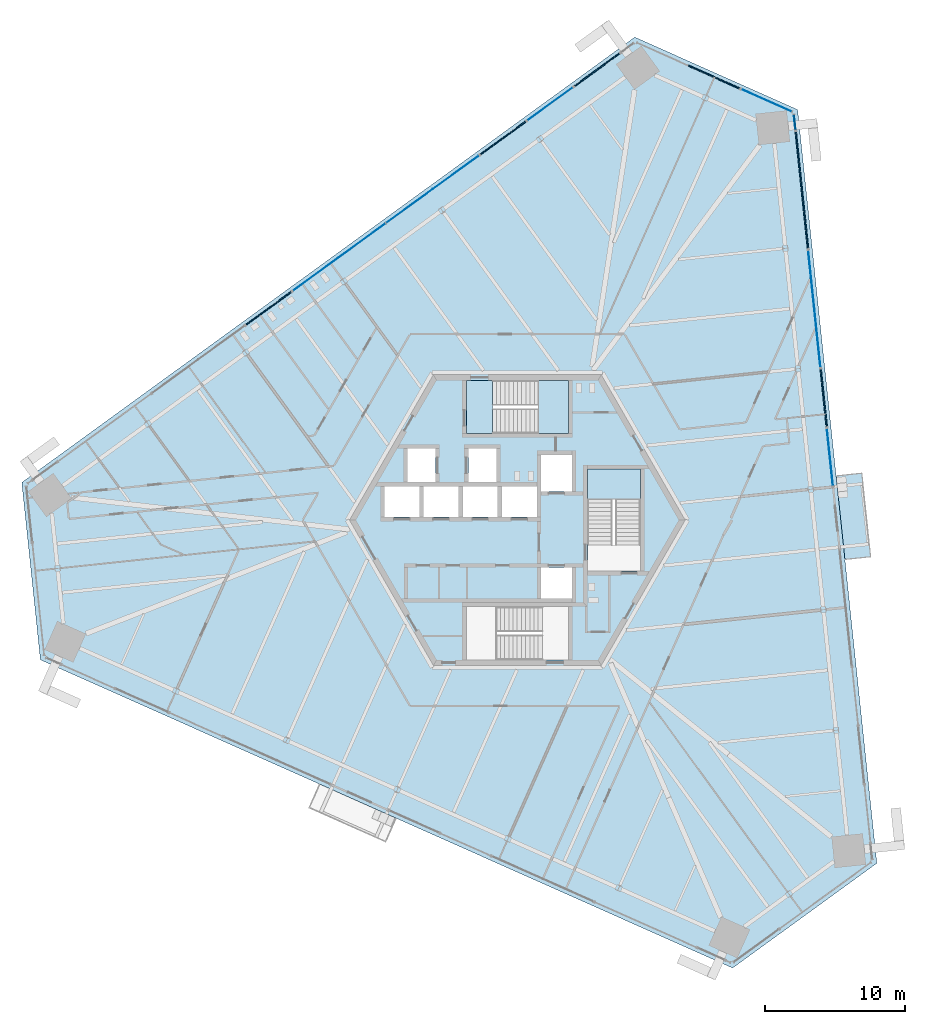
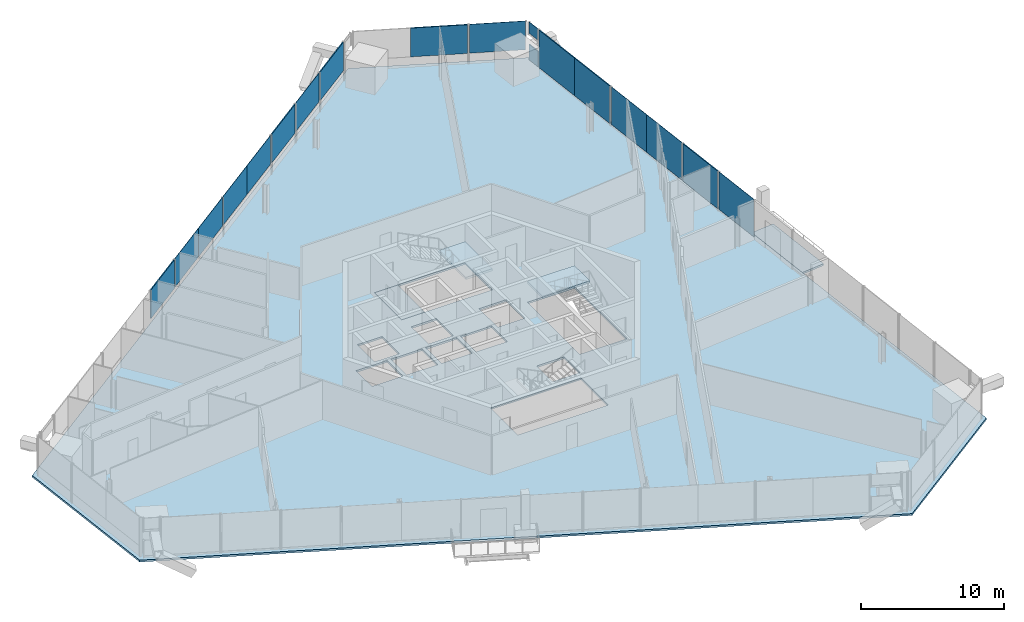
# One storey, part 16 of 25: 18 plates, 5 slabs, 15 elements without a shape of their own.
"""IFC4 building model written with IfcOpenShell, lengths in metres."""

from ifc_helpers import new_model, si_unit, direction, frame, origin, origin_2d, place, context, subcontext, project, spatial, polyline, rectangle, outline, extrude, source, transform, mapped, material, layer, layer_set, type_object, element, aggregate, save


model = new_model("IFC4")

# Units and contexts
model_context = context("Model", 3, precision=1e-05, world=origin(), true_north=direction((0.0, 1.0)))
body_context = subcontext(model_context, "Body", "Model", "MODEL_VIEW")
ifc_project = project(units=[si_unit("LENGTHUNIT", "METRE"), si_unit("AREAUNIT", "SQUARE_METRE"), si_unit("VOLUMEUNIT", "CUBIC_METRE"), si_unit("PLANEANGLEUNIT", "RADIAN"), si_unit("MASSUNIT", "GRAM", prefix="KILO")], contexts=[model_context])

# Site, building, storey
site_placement = place(None, origin())
site = spatial("IfcSite", under=ifc_project, at=site_placement, CompositionType="ELEMENT")
building_placement = place(site_placement, origin())
building = spatial("IfcBuilding", under=site, at=building_placement, Name="Triune Harvest Tower", CompositionType="ELEMENT")
storey_placement = place(building_placement, frame((0.0, 0.0, 90.89990234375)))
storey = spatial("IfcBuildingStorey", under=building, at=storey_placement, Name="L22", CompositionType="ELEMENT", Elevation=90.89990234375)

# Curtain wall, plate
ifc_material_1 = material(Name="Aluminium bronze anodised", Category="aluminium")
curtain_wall_type_1 = type_object("IfcCurtainWallType", Name="CW-1 Tower stick curtain wall", PredefinedType="NOTDEFINED", material=ifc_material_1)
curtain_wall_1_placement = place(storey_placement, origin())
curtain_wall_1 = element("IfcCurtainWall", 1, at=curtain_wall_1_placement, inside=storey, type_object=curtain_wall_type_1, Name="CW-1 B2-F3 L22 run 1201")
ifc_material_2 = material(Name="Glass", Category="glass")
ifc_layer_1 = layer(ifc_material_2, 0.031982421875)
ifc_layer_set_1 = layer_set([ifc_layer_1], Name="Glass")
plate_type_1 = type_object("IfcPlateType", Name="GL-1 panel 32", PredefinedType="CURTAIN_PANEL", material=ifc_layer_set_1)
plate_1_placement = place(storey_placement, frame((2.340576171875, 29.756591796875, 0.89990234375), z_axis=(0.0, 0.0, 1.0), x_axis=(-0.809015584825, -0.587787192366, 0.0)))
plate_1 = element("IfcPlate", 2, at=plate_1_placement, type_object=plate_type_1, Name="CW-1 panel B2-F3 1201.1", PredefinedType="CURTAIN_PANEL", context=body_context, shape_type="SweptSolid", body=[
    extrude(rectangle(XDim=3.9951171875, YDim=0.031982421875, at=origin_2d()), origin(), (0.0, 0.0, 1.0), 2.449951171875),
])
aggregate(curtain_wall_1, [plate_1])

ifc_material_3 = material(Name="Aluminium bronze anodised", Category="aluminium")
curtain_wall_type_2 = type_object("IfcCurtainWallType", Name="CW-6 Balcony window wall", PredefinedType="NOTDEFINED", material=ifc_material_3)
curtain_wall_2_placement = place(storey_placement, origin())
curtain_wall_2 = element("IfcCurtainWall", 3, at=curtain_wall_2_placement, inside=storey, type_object=curtain_wall_type_2, Name="CW-6 B2-F1 L22 run 2")
ifc_material_4 = material(Name="Glass", Category="glass")
ifc_layer_2 = layer(ifc_material_4, 0.030029296875)
ifc_layer_set_2 = layer_set([ifc_layer_2], Name="Glass")
plate_type_2 = type_object("IfcPlateType", Name="GL-6 panel 30", PredefinedType="CURTAIN_PANEL", material=ifc_layer_set_2)
plate_2_placement = place(storey_placement, frame((22.350341796875, 4.494384765625, 0.14990234375), z_axis=(0.0, 0.0, 1.0), x_axis=(-0.104523750187, 0.994522390722, 0.0)))
plate_2 = element("IfcPlate", 4, at=plate_2_placement, type_object=plate_type_2, Name="CW-6 panel B2-F1 2.1", PredefinedType="CURTAIN_PANEL", context=body_context, shape_type="SweptSolid", body=[
    extrude(rectangle(XDim=4.116943359375, YDim=0.030029296875, at=origin_2d()), origin(), (0.0, 0.0, 1.0), 3.199951171875),
])
aggregate(curtain_wall_2, [plate_2])

ifc_material_5 = material(Name="Aluminium bronze anodised", Category="aluminium")
curtain_wall_type_3 = type_object("IfcCurtainWallType", Name="CW-10 Balcony window wall with insulated spandrel infill", PredefinedType="NOTDEFINED", material=ifc_material_5)
curtain_wall_3_placement = place(storey_placement, origin())
curtain_wall_3 = element("IfcCurtainWall", 5, at=curtain_wall_3_placement, inside=storey, type_object=curtain_wall_type_3, Name="CW-10 B2-F1 L22 run 1002")
ifc_material_6 = material(Name="Insulated spandrel panel, bronze aluminium pan", Category="aluminium")
ifc_layer_3 = layer(ifc_material_6, 0.080078125)
ifc_layer_set_3 = layer_set([ifc_layer_3], Name="Insulated spandrel panel, bronze aluminium pan")
plate_type_3 = type_object("IfcPlateType", Name="SP-1 insulated spandrel panel 80", PredefinedType="CURTAIN_PANEL", material=ifc_layer_set_3)
plate_3_placement = place(storey_placement, frame((21.904296875, 8.738037109375, 0.14990234375), z_axis=(0.0, 0.0, 1.0), x_axis=(-0.104526186426, 0.994522134671, 0.0)))
plate_3 = element("IfcPlate", 6, at=plate_3_placement, type_object=plate_type_3, Name="CW-10 panel B2-F1 1002.1", PredefinedType="CURTAIN_PANEL", context=body_context, shape_type="SweptSolid", body=[
    extrude(rectangle(XDim=4.116943359375, YDim=0.080078125, at=origin_2d()), origin(), (0.0, 0.0, 1.0), 3.199951171875),
])
aggregate(curtain_wall_3, [plate_3])

curtain_wall_4_placement = place(storey_placement, origin())
curtain_wall_4 = element("IfcCurtainWall", 7, at=curtain_wall_4_placement, inside=storey, type_object=curtain_wall_type_3, Name="CW-10 B2-F1 L22 run 102")
plate_4_placement = place(storey_placement, frame((19.83349609375, 28.441650390625, 0.150146484375), z_axis=(0.0, 0.0, 1.0), x_axis=(-0.104518622429, 0.994522929633, 0.0)))
plate_4 = element("IfcPlate", 8, at=plate_4_placement, type_object=plate_type_3, Name="CW-10 panel B2-F1 102.1", PredefinedType="CURTAIN_PANEL", context=body_context, shape_type="SweptSolid", body=[
    extrude(rectangle(XDim=1.07177734375, YDim=0.080078125, at=origin_2d()), origin(), (0.0, 0.0, 1.0), 1.31494140625),
])
aggregate(curtain_wall_4, [plate_4])

# Slab
ifc_material_7 = material(Name="Concrete 40 MPa", Category="concrete")
ifc_layer_4 = layer(ifc_material_7, 0.159912109375)
ifc_layer_set_4 = layer_set([ifc_layer_4], Name="Concrete 40 MPa")
slab_type_1 = type_object("IfcSlabType", Name="SL-1 Composite floor slab 160", PredefinedType="FLOOR", material=ifc_layer_set_4)
shared_shape_1 = source(origin(), body_context, "Body", "SweptSolid", [
    extrude(outline(polyline([(25.703125, -24.534423828125), (20.04052734375, 29.34228515625), (8.395751953125, 34.526611328125), (-35.431396484375, 2.6845703125), (-34.098876953125, -9.992431640625), (15.390869140625, -32.026611328125), (25.703125, -24.534423828125)]), holes=[polyline([(-7.0, 0.2099609375), (-7.0, 2.409912109375), (-9.5, 2.409912109375), (-9.5, 0.2099609375), (-7.0, 0.2099609375)]), polyline([(-4.199951171875, 0.2099609375), (-4.199951171875, 2.409912109375), (-6.699951171875, 2.409912109375), (-6.699951171875, 0.2099609375), (-4.199951171875, 0.2099609375)]), polyline([(-1.39990234375, 0.2099609375), (-1.39990234375, 2.409912109375), (-3.89990234375, 2.409912109375), (-3.89990234375, 0.2099609375), (-1.39990234375, 0.2099609375)]), polyline([(1.39990234375, 0.2099609375), (1.39990234375, 2.409912109375), (-1.10009765625, 2.409912109375), (-1.10009765625, 0.2099609375), (1.39990234375, 0.2099609375)]), polyline([(3.89990234375, 2.06005859375), (3.89990234375, 4.659912109375), (1.699951171875, 4.659912109375), (1.699951171875, 2.06005859375), (3.89990234375, 2.06005859375)]), polyline([(3.89990234375, -5.590087890625), (3.89990234375, -3.389892578125), (1.699951171875, -3.389892578125), (1.699951171875, -5.590087890625), (3.89990234375, -5.590087890625)]), polyline([(-5.85009765625, 2.7099609375), (-5.85009765625, 5.110107421875), (-7.85009765625, 5.110107421875), (-7.85009765625, 2.7099609375), (-5.85009765625, 2.7099609375)]), polyline([(-1.5, 2.7099609375), (-1.5, 5.110107421875), (-3.5, 5.110107421875), (-3.5, 2.7099609375), (-1.5, 2.7099609375)]), polyline([(3.64990234375, 6.18994140625), (3.64990234375, 9.989990234375), (-3.64990234375, 9.989990234375), (-3.64990234375, 6.18994140625), (3.64990234375, 6.18994140625)]), polyline([(3.64990234375, -9.989990234375), (3.64990234375, -6.18994140625), (-3.64990234375, -6.18994140625), (-3.64990234375, -9.989990234375), (3.64990234375, -9.989990234375)]), polyline([(8.800048828125, -3.64990234375), (8.800048828125, 3.64990234375), (5.0, 3.64990234375), (5.0, -3.64990234375), (8.800048828125, -3.64990234375)])]), origin(), (0.0, 0.0, 1.0), 0.159912109375),
])
slab_1_placement = place(storey_placement, frame((0.0, 0.0, -0.159912109375)))
element("IfcSlab", 9, at=slab_1_placement, inside=storey, type_object=slab_type_1, Name="slab/L22/1", PredefinedType="FLOOR", context=body_context, shape_type="MappedRepresentation", body=[
    mapped(shared_shape_1, transform((0.0, 0.0, 0.0), scale=1.0)),
])

# Stair, slabs
ifc_material_8 = material(Name="Concrete 40 MPa", Category="concrete")
stair_type = type_object("IfcStairType", Name="Exit stair 1800 half turn", PredefinedType="HALF_TURN_STAIR", material=ifc_material_8)
stair_1_placement = place(storey_placement, origin())
stair_1 = element("IfcStair", 10, at=stair_1_placement, inside=storey, type_object=stair_type, Name="Exit stair north", PredefinedType="HALF_TURN_STAIR")
ifc_material_9 = material(Name="Concrete 40 MPa", Category="concrete")
ifc_layer_5 = layer(ifc_material_9, 0.199951171875)
ifc_layer_set_5 = layer_set([ifc_layer_5], Name="Concrete 40 MPa")
slab_type_2 = type_object("IfcSlabType", Name="Stair landing 200", PredefinedType="LANDING", material=ifc_layer_set_5)
shared_shape_2 = source(origin(), body_context, "Body", "SweptSolid", [
    extrude(outline(polyline([(1.510009765625, 6.18994140625), (3.64990234375, 6.18994140625), (3.64990234375, 9.989990234375), (1.510009765625, 9.989990234375), (1.510009765625, 6.18994140625)])), origin(), (0.0, 0.0, 1.0), 0.199951171875),
])
slab_2_placement = place(storey_placement, frame((0.0, 0.0, 1.60009765625)))
slab_2 = element("IfcSlab", 11, at=slab_2_placement, type_object=slab_type_2, Name="ST-1 landing 2", PredefinedType="LANDING", context=body_context, shape_type="MappedRepresentation", body=[
    mapped(shared_shape_2, transform((0.0, 0.0, 0.0), scale=1.0)),
])
shared_shape_3 = source(origin(), body_context, "Body", "SweptSolid", [
    extrude(outline(polyline([(-3.64990234375, 6.18994140625), (-1.780029296875, 6.18994140625), (-1.780029296875, 9.989990234375), (-3.64990234375, 9.989990234375), (-3.64990234375, 6.18994140625)])), origin(), (0.0, 0.0, 1.0), 0.199951171875),
])
slab_3_placement = place(storey_placement, frame((0.0, 0.0, -0.199951171875)))
slab_3 = element("IfcSlab", 12, at=slab_3_placement, type_object=slab_type_2, Name="ST-1 landing 1", PredefinedType="LANDING", context=body_context, shape_type="MappedRepresentation", body=[
    mapped(shared_shape_3, transform((0.0, 0.0, 0.0), scale=1.0)),
])
aggregate(stair_1, [slab_3, slab_2])

# Stair, slab
stair_2_placement = place(storey_placement, origin())
stair_2 = element("IfcStair", 13, at=stair_2_placement, inside=storey, type_object=stair_type, Name="Exit stair east", PredefinedType="HALF_TURN_STAIR")
shared_shape_4 = source(origin(), body_context, "Body", "SweptSolid", [
    extrude(outline(polyline([(8.800048828125, 1.510009765625), (8.800048828125, 3.64990234375), (5.0, 3.64990234375), (5.0, 1.510009765625), (8.800048828125, 1.510009765625)])), origin(), (0.0, 0.0, 1.0), 0.199951171875),
])
slab_4_placement = place(storey_placement, frame((0.0, 0.0, 1.60009765625)))
slab_4 = element("IfcSlab", 14, at=slab_4_placement, type_object=slab_type_2, Name="ST-3 landing 2", PredefinedType="LANDING", context=body_context, shape_type="MappedRepresentation", body=[
    mapped(shared_shape_4, transform((0.0, 0.0, 0.0), scale=1.0)),
])
aggregate(stair_2, [slab_4])

# Slab
ifc_material_10 = material(Name="Concrete 40 MPa", Category="concrete")
ifc_layer_6 = layer(ifc_material_10, 0.159912109375)
ifc_layer_set_6 = layer_set([ifc_layer_6], Name="Concrete 40 MPa")
slab_type_3 = type_object("IfcSlabType", Name="BA-1 balcony slab 160", PredefinedType="FLOOR", material=ifc_layer_set_6)
shared_shape_5 = source(origin(), body_context, "Body", "SweptSolid", [
    extrude(outline(polyline([(23.419921875, -2.810302734375), (22.79248046875, 3.156982421875), (24.627197265625, 3.349853515625), (25.25439453125, -2.6171875), (23.419921875, -2.810302734375)])), origin(), (0.0, 0.0, 1.0), 0.159912109375),
])
slab_5_placement = place(storey_placement, frame((0.0, 0.0, -0.159912109375)))
element("IfcSlab", 15, at=slab_5_placement, inside=storey, type_object=slab_type_3, Name="Balcony slab B2-F1 L22.6", PredefinedType="FLOOR", context=body_context, shape_type="MappedRepresentation", body=[
    mapped(shared_shape_5, transform((0.0, 0.0, 0.0), scale=1.0)),
])

# Curtain wall, plate
curtain_wall_5_placement = place(storey_placement, origin())
curtain_wall_5 = element("IfcCurtainWall", 16, at=curtain_wall_5_placement, inside=storey, type_object=curtain_wall_type_2, Name="CW-6 B2-F1 L22 run 202")
shared_shape_6 = source(origin(), body_context, "Body", "SweptSolid", [
    extrude(rectangle(XDim=1.07177734375, YDim=0.030029296875, at=origin_2d()), origin(), (0.0, 0.0, 1.0), 0.965087890625),
])
plate_5_placement = place(storey_placement, frame((19.83349609375, 28.441650390625, 2.38525390625), z_axis=(0.0, 0.0, 1.0), x_axis=(-0.104518622429, 0.994522929633, 0.0)))
plate_5 = element("IfcPlate", 17, at=plate_5_placement, type_object=plate_type_2, Name="CW-6 panel B2-F1 202.1", PredefinedType="CURTAIN_PANEL", context=body_context, shape_type="MappedRepresentation", body=[
    mapped(shared_shape_6, transform((0.0, 0.0, 0.0), scale=1.0)),
])
aggregate(curtain_wall_5, [plate_5])

# Curtain wall, plates
curtain_wall_6_placement = place(storey_placement, origin())
curtain_wall_6 = element("IfcCurtainWall", 18, at=curtain_wall_6_placement, inside=storey, type_object=curtain_wall_type_2, Name="CW-6 B2-F1 L22 run 2002")
shared_shape_7 = source(origin(), body_context, "Body", "SweptSolid", [
    extrude(rectangle(XDim=4.19189453125, YDim=0.030029296875, at=origin_2d()), origin(), (0.0, 0.0, 1.0), 3.199951171875),
])
plate_6_placement = place(storey_placement, frame((21.454345703125, 13.018798828125, 0.14990234375), z_axis=(0.0, 0.0, 1.0), x_axis=(-0.104535340049, 0.994521172565, 0.0)))
plate_6 = element("IfcPlate", 19, at=plate_6_placement, type_object=plate_type_2, Name="CW-6 panel B2-F1 2002.1", PredefinedType="CURTAIN_PANEL", context=body_context, shape_type="MappedRepresentation", body=[
    mapped(shared_shape_7, transform((0.0, 0.0, 0.0), scale=1.0)),
])
plate_7_placement = place(storey_placement, frame((21.016357421875, 17.187744140625, 0.14990234375), z_axis=(0.0, 0.0, 1.0), x_axis=(-0.104535340049, 0.994521172565, 0.0)))
plate_7 = element("IfcPlate", 20, at=plate_7_placement, type_object=plate_type_2, Name="CW-6 panel B2-F1 2002.2", PredefinedType="CURTAIN_PANEL", context=body_context, shape_type="MappedRepresentation", body=[
    mapped(shared_shape_7, transform((0.0, 0.0, 0.0), scale=1.0)),
])
aggregate(curtain_wall_6, [plate_6, plate_7])

curtain_wall_7_placement = place(storey_placement, origin())
curtain_wall_7 = element("IfcCurtainWall", 21, at=curtain_wall_7_placement, inside=storey, type_object=curtain_wall_type_3, Name="CW-10 B2-F1 L22 run 3002")
shared_shape_8 = source(origin(), body_context, "Body", "SweptSolid", [
    extrude(rectangle(XDim=4.19189453125, YDim=0.080078125, at=origin_2d()), origin(), (0.0, 0.0, 1.0), 3.199951171875),
])
plate_8_placement = place(storey_placement, frame((20.5625, 21.505859375, 0.14990234375), z_axis=(0.0, 0.0, 1.0), x_axis=(-0.10452496828, 0.9945222627, 0.0)))
plate_8 = element("IfcPlate", 22, at=plate_8_placement, type_object=plate_type_3, Name="CW-10 panel B2-F1 3002.1", PredefinedType="CURTAIN_PANEL", context=body_context, shape_type="MappedRepresentation", body=[
    mapped(shared_shape_8, transform((0.0, 0.0, 0.0), scale=1.0)),
])
plate_9_placement = place(storey_placement, frame((20.124267578125, 25.675048828125, 0.14990234375), z_axis=(0.0, 0.0, 1.0), x_axis=(-0.10452496828, 0.9945222627, 0.0)))
plate_9 = element("IfcPlate", 23, at=plate_9_placement, type_object=plate_type_3, Name="CW-10 panel B2-F1 3002.2", PredefinedType="CURTAIN_PANEL", context=body_context, shape_type="MappedRepresentation", body=[
    mapped(shared_shape_8, transform((0.0, 0.0, 0.0), scale=1.0)),
])
aggregate(curtain_wall_7, [plate_8, plate_9])

# Curtain wall, plate
curtain_wall_8_placement = place(storey_placement, origin())
curtain_wall_8 = element("IfcCurtainWall", 24, at=curtain_wall_8_placement, inside=storey, type_object=curtain_wall_type_1, Name="CW-1 B2-F2 L22 run 1")
shared_shape_9 = source(origin(), body_context, "Body", "SweptSolid", [
    extrude(rectangle(XDim=3.92333984375, YDim=0.031982421875, at=origin_2d()), origin(), (0.0, 0.0, 1.0), 2.449951171875),
])
plate_10_placement = place(storey_placement, frame((17.8173828125, 30.003662109375, 0.89990234375), z_axis=(0.0, 0.0, 1.0), x_axis=(-0.913547922092, 0.406731107787, 0.0)))
plate_10 = element("IfcPlate", 25, at=plate_10_placement, type_object=plate_type_1, Name="CW-1 panel B2-F2 1.1", PredefinedType="CURTAIN_PANEL", context=body_context, shape_type="MappedRepresentation", body=[
    mapped(shared_shape_9, transform((0.0, 0.0, 0.0), scale=1.0)),
])
aggregate(curtain_wall_8, [plate_10])

ifc_material_11 = material(Name="Aluminium bronze anodised", Category="aluminium")
curtain_wall_type_4 = type_object("IfcCurtainWallType", Name="CW-7 Tower stick curtain wall with insulated spandrel infill", PredefinedType="NOTDEFINED", material=ifc_material_11)
curtain_wall_9_placement = place(storey_placement, origin())
curtain_wall_9 = element("IfcCurtainWall", 26, at=curtain_wall_9_placement, inside=storey, type_object=curtain_wall_type_4, Name="CW-7 B2-F2 L22 run 1001")
shared_shape_10 = source(origin(), body_context, "Body", "SweptSolid", [
    extrude(rectangle(XDim=3.998291015625, YDim=0.080078125, at=origin_2d()), origin(), (0.0, 0.0, 1.0), 2.449951171875),
])
plate_11_placement = place(storey_placement, frame((14.061767578125, 31.675537109375, 0.89990234375), z_axis=(0.0, 0.0, 1.0), x_axis=(-0.913546005002, 0.406735413684, 0.0)))
plate_11 = element("IfcPlate", 27, at=plate_11_placement, type_object=plate_type_3, Name="CW-7 panel B2-F2 1001.1", PredefinedType="CURTAIN_PANEL", context=body_context, shape_type="MappedRepresentation", body=[
    mapped(shared_shape_10, transform((0.0, 0.0, 0.0), scale=1.0)),
])
aggregate(curtain_wall_9, [plate_11])

curtain_wall_10_placement = place(storey_placement, origin())
curtain_wall_10 = element("IfcCurtainWall", 28, at=curtain_wall_10_placement, inside=storey, type_object=curtain_wall_type_4, Name="CW-7 B2-F3 L22 run 201")
shared_shape_11 = source(origin(), body_context, "Body", "SweptSolid", [
    extrude(rectangle(XDim=3.9951171875, YDim=0.080078125, at=origin_2d()), origin(), (0.0, 0.0, 1.0), 2.449951171875),
])
plate_12_placement = place(storey_placement, frame((5.694091796875, 32.19287109375, 0.89990234375), z_axis=(0.0, 0.0, 1.0), x_axis=(-0.809015584825, -0.587787192366, 0.0)))
plate_12 = element("IfcPlate", 29, at=plate_12_placement, type_object=plate_type_3, Name="CW-7 panel B2-F3 201.1", PredefinedType="CURTAIN_PANEL", context=body_context, shape_type="MappedRepresentation", body=[
    mapped(shared_shape_11, transform((0.0, 0.0, 0.0), scale=1.0)),
])
aggregate(curtain_wall_10, [plate_12])

curtain_wall_11_placement = place(storey_placement, origin())
curtain_wall_11 = element("IfcCurtainWall", 30, at=curtain_wall_11_placement, inside=storey, type_object=curtain_wall_type_4, Name="CW-7 B2-F3 L22 run 2201")
plate_13_placement = place(storey_placement, frame((-1.0126953125, 27.320068359375, 0.89990234375), z_axis=(0.0, 0.0, 1.0), x_axis=(-0.809015584825, -0.587787192366, 0.0)))
plate_13 = element("IfcPlate", 31, at=plate_13_placement, type_object=plate_type_3, Name="CW-7 panel B2-F3 2201.1", PredefinedType="CURTAIN_PANEL", context=body_context, shape_type="MappedRepresentation", body=[
    mapped(shared_shape_11, transform((0.0, 0.0, 0.0), scale=1.0)),
])
aggregate(curtain_wall_11, [plate_13])

curtain_wall_12_placement = place(storey_placement, origin())
curtain_wall_12 = element("IfcCurtainWall", 32, at=curtain_wall_12_placement, inside=storey, type_object=curtain_wall_type_4, Name="CW-7 B2-F3 L22 run 4201")
plate_14_placement = place(storey_placement, frame((-17.77978515625, 15.13818359375, 0.89990234375), z_axis=(0.0, 0.0, 1.0), x_axis=(-0.809015584825, -0.587787192366, 0.0)))
plate_14 = element("IfcPlate", 33, at=plate_14_placement, type_object=plate_type_3, Name="CW-7 panel B2-F3 4201.1", PredefinedType="CURTAIN_PANEL", context=body_context, shape_type="MappedRepresentation", body=[
    mapped(shared_shape_11, transform((0.0, 0.0, 0.0), scale=1.0)),
])
aggregate(curtain_wall_12, [plate_14])

# Curtain wall, plates
curtain_wall_13_placement = place(storey_placement, origin())
curtain_wall_13 = element("IfcCurtainWall", 34, at=curtain_wall_13_placement, inside=storey, type_object=curtain_wall_type_1, Name="CW-1 B2-F3 L22 run 3201")
shared_shape_12 = source(origin(), body_context, "Body", "SweptSolid", [
    extrude(rectangle(XDim=4.070068359375, YDim=0.031982421875, at=origin_2d()), origin(), (0.0, 0.0, 1.0), 2.449951171875),
])
plate_15_placement = place(storey_placement, frame((-4.396484375, 24.861572265625, 0.89990234375), z_axis=(0.0, 0.0, 1.0), x_axis=(-0.809018452885, -0.587783244821, 0.0)))
plate_15 = element("IfcPlate", 35, at=plate_15_placement, type_object=plate_type_1, Name="CW-1 panel B2-F3 3201.1", PredefinedType="CURTAIN_PANEL", context=body_context, shape_type="MappedRepresentation", body=[
    mapped(shared_shape_12, transform((0.0, 0.0, 0.0), scale=1.0)),
])
plate_16_placement = place(storey_placement, frame((-14.39599609375, 17.5966796875, 0.89990234375), z_axis=(0.0, 0.0, 1.0), x_axis=(-0.809018452885, -0.587783244821, 0.0)))
plate_16 = element("IfcPlate", 36, at=plate_16_placement, type_object=plate_type_1, Name="CW-1 panel B2-F3 3201.4", PredefinedType="CURTAIN_PANEL", context=body_context, shape_type="MappedRepresentation", body=[
    mapped(shared_shape_12, transform((0.0, 0.0, 0.0), scale=1.0)),
])
shared_shape_13 = source(origin(), body_context, "Body", "SweptSolid", [
    extrude(rectangle(XDim=4.107421875, YDim=0.031982421875, at=origin_2d()), origin(), (0.0, 0.0, 1.0), 2.449951171875),
])
plate_17_placement = place(storey_placement, frame((-7.704345703125, 22.458251953125, 0.89990234375), z_axis=(0.0, 0.0, 1.0), x_axis=(-0.809018452885, -0.587783244821, 0.0)))
plate_17 = element("IfcPlate", 37, at=plate_17_placement, type_object=plate_type_1, Name="CW-1 panel B2-F3 3201.2", PredefinedType="CURTAIN_PANEL", context=body_context, shape_type="MappedRepresentation", body=[
    mapped(shared_shape_13, transform((0.0, 0.0, 0.0), scale=1.0)),
])
plate_18_placement = place(storey_placement, frame((-11.088134765625, 20.0, 0.89990234375), z_axis=(0.0, 0.0, 1.0), x_axis=(-0.809018452885, -0.587783244821, 0.0)))
plate_18 = element("IfcPlate", 38, at=plate_18_placement, type_object=plate_type_1, Name="CW-1 panel B2-F3 3201.3", PredefinedType="CURTAIN_PANEL", context=body_context, shape_type="MappedRepresentation", body=[
    mapped(shared_shape_13, transform((0.0, 0.0, 0.0), scale=1.0)),
])
aggregate(curtain_wall_13, [plate_15, plate_17, plate_18, plate_16])

save(model, "model.ifc")
